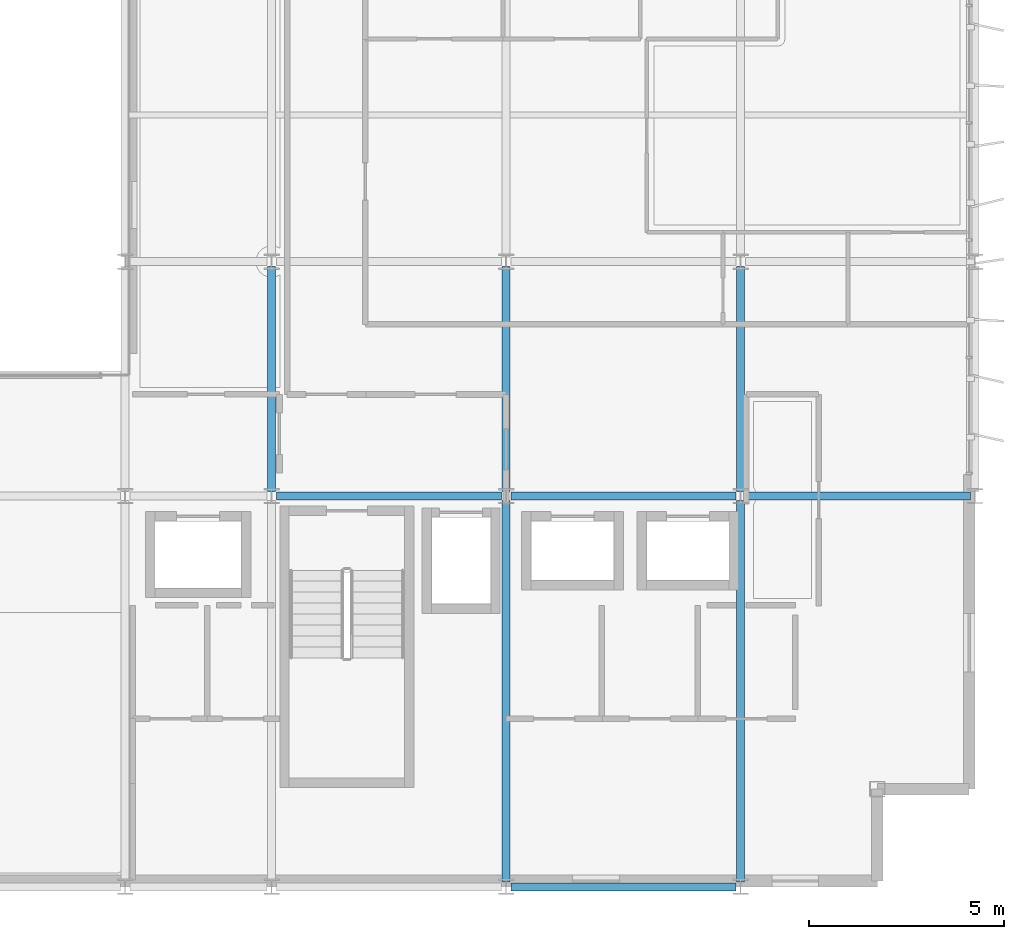
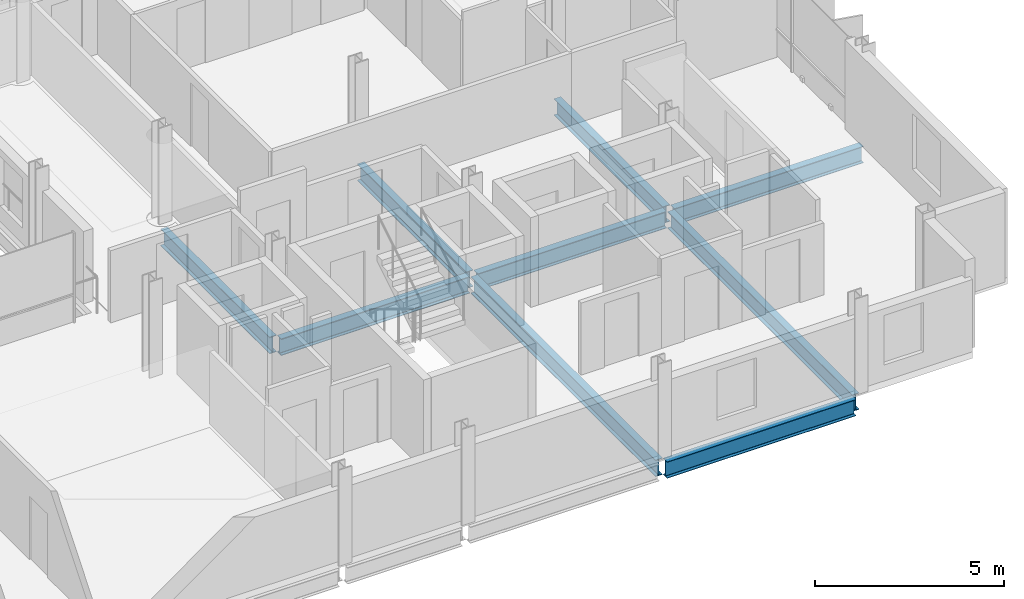
# One storey, part 16 of 38: 9 beams.
"""IFC4 building model written with IfcOpenShell, lengths in metres."""

import ifcopenshell
import ifcopenshell.guid

model = None  # the IFC model being written
_history = None  # IfcOwnerHistory: only IFC2X3 demands one
_inside = {}  # id of a spatial element -> (the spatial element, [elements in it])
_under = {}  # id of a project, library or spatial element -> (it, [spatial elements below it])
_declared = {}  # id of a project -> (the project, [libraries it declares])
_typed = {}  # id of a type object -> (the type object, [elements of that type])
_made_of = {}  # id of a material, layer set ... -> (it, [elements and type objects made of it])


def new_model(schema):
    """Start an empty IFC model of exactly this schema.

    Asked for "IFC4X3", IfcOpenShell would pick the latest addendum, in which some entities
    have other attributes; the version numbers below select the first issue.
    IFC2X3 requires an IfcOwnerHistory on every rooted entity: one is made here for all.
    """
    global model, _history
    if schema == "IFC4X3":
        model = ifcopenshell.file(schema_version=(4, 3, 0, 0))
    else:
        model = ifcopenshell.file(schema=schema)
    _inside.clear()
    _under.clear()
    _declared.clear()
    _typed.clear()
    _made_of.clear()
    _history = None
    if model.schema == "IFC2X3":
        org = make("IfcOrganization", Name="unknown")
        user = make(
            "IfcPersonAndOrganization",
            ThePerson=make("IfcPerson", FamilyName="unknown"),
            TheOrganization=org,
        )
        app = make(
            "IfcApplication",
            ApplicationDeveloper=org,
            Version="unknown",
            ApplicationFullName="unknown",
            ApplicationIdentifier="unknown",
        )
        _history = make(
            "IfcOwnerHistory",
            OwningUser=user,
            OwningApplication=app,
            ChangeAction="ADDED",
            CreationDate=0,
        )
    return model


def make(cls, **values):
    """One entity of the class cls with the attributes given. An attribute that is None is left unset."""
    return model.create_entity(
        cls, **{name: value for name, value in values.items() if value is not None}
    )


def rooted(cls, **values):
    """An entity with a GlobalId (a new one), such as an element, a storey or a relation."""
    return make(cls, GlobalId=ifcopenshell.guid.new(), OwnerHistory=_history, **values)


def si_unit(unit_type, name, prefix=None):
    """IfcSIUnit, for example si_unit("LENGTHUNIT", "METRE", prefix="MILLI")."""
    return make("IfcSIUnit", UnitType=unit_type, Prefix=prefix, Name=name)


def assignment(units):
    """IfcUnitAssignment: the units of a project."""
    return None if units is None else make("IfcUnitAssignment", Units=units)


def point(xyz):
    """IfcCartesianPoint."""
    return None if xyz is None else make("IfcCartesianPoint", Coordinates=xyz)


def direction(xyz):
    """IfcDirection."""
    return None if xyz is None else make("IfcDirection", DirectionRatios=xyz)


def frame(location, z_axis=None, x_axis=None):
    """IfcAxis2Placement3D, a coordinate frame: its origin and axes. An axis left out is left unset."""
    return make(
        "IfcAxis2Placement3D",
        Location=point(location),
        Axis=direction(z_axis),
        RefDirection=direction(x_axis),
    )


def frame_2d(location, x_axis=None):
    """IfcAxis2Placement2D, a coordinate frame in the plane: its origin and x axis."""
    return make(
        "IfcAxis2Placement2D", Location=point(location), RefDirection=direction(x_axis)
    )


def origin():
    """The frame at (0, 0, 0) with its axes left unset."""
    return frame((0.0, 0.0, 0.0))


def origin_2d():
    """The frame at (0, 0) in the plane with its x axis left unset."""
    return frame_2d((0.0, 0.0))


def place(relative_to, where):
    """IfcLocalPlacement: puts the frame where relative to a parent placement (None: the world)."""
    return make(
        "IfcLocalPlacement", PlacementRelTo=relative_to, RelativePlacement=where
    )


def context(
    kind, dimensions, precision=None, world=None, true_north=None, identifier=None
):
    """IfcGeometricRepresentationContext, for example the 3D "Model" context."""
    return make(
        "IfcGeometricRepresentationContext",
        ContextIdentifier=identifier,
        ContextType=kind,
        CoordinateSpaceDimension=dimensions,
        Precision=precision,
        WorldCoordinateSystem=world,
        TrueNorth=true_north,
    )


def subcontext(parent, identifier, kind, view, scale=None):
    """IfcGeometricRepresentationSubContext, for example "Body" below "Model"."""
    return make(
        "IfcGeometricRepresentationSubContext",
        ContextIdentifier=identifier,
        ContextType=kind,
        ParentContext=parent,
        TargetScale=scale,
        TargetView=view,
    )


def project(units=None, contexts=None):
    """IfcProject with its units and contexts."""
    return rooted(
        "IfcProject",
        Name="project",
        RepresentationContexts=contexts,
        UnitsInContext=assignment(units),
    )


def spatial(cls, under=None, at=None, **own):
    """A site, building, storey or space (cls), placed at a placement, below another one or the project."""
    s = rooted(cls, ObjectPlacement=at, **own)
    if under is not None:
        _under.setdefault(under.id(), (under, []))[1].append(s)
    return s


def profile(cls, at=None, kind="AREA", **sizes):
    """A parametric profile (cls). Its sizes go by their IFC names, for example OverallWidth=200.0."""
    return make(cls, ProfileType=kind, Position=at, **sizes)


def i_section(**sizes):
    """IfcIShapeProfileDef."""
    return profile("IfcIShapeProfileDef", **sizes)


def extrude(swept, where, along, depth):
    """IfcExtrudedAreaSolid: the profile swept, set in the frame where, extruded along a direction by depth."""
    return make(
        "IfcExtrudedAreaSolid",
        SweptArea=swept,
        Position=where,
        ExtrudedDirection=direction(along),
        Depth=depth,
    )


def shape(context_of_items, identifier, shape_type, items):
    """IfcShapeRepresentation: the items that make up one representation, for example the "Body"."""
    return make(
        "IfcShapeRepresentation",
        ContextOfItems=context_of_items,
        RepresentationIdentifier=identifier,
        RepresentationType=shape_type,
        Items=items,
    )


def material(Name=None, Category=None):
    """IfcMaterial."""
    return make("IfcMaterial", Name=Name, Category=Category)


def material_profile(
    of_material, cross_section, Name=None, Category=None, Priority=None
):
    """IfcMaterialProfile: a cross section and its material."""
    return make(
        "IfcMaterialProfile",
        Name=Name,
        Material=of_material,
        Profile=cross_section,
        Priority=Priority,
        Category=Category,
    )


def profile_set(profiles, Name=None, composite=None):
    """IfcMaterialProfileSet."""
    return make(
        "IfcMaterialProfileSet",
        Name=Name,
        MaterialProfiles=profiles,
        CompositeProfile=composite,
    )


def made_of(thing, what):
    """Note that an element or type object is made of a material, layer set ...; save() writes the relation."""
    if what is not None:
        _made_of.setdefault(what.id(), (what, []))[1].append(thing)
    return thing


def type_object(cls, material=None, **own):
    """A type object (cls), such as IfcWallType, which elements share."""
    return made_of(rooted(cls, **own), material)


def element(
    cls,
    number,
    at=None,
    inside=None,
    cuts=None,
    type_object=None,
    material=None,
    context=None,
    identifier="Body",
    shape_type=None,
    held_by="IfcProductDefinitionShape",
    body=None,
    shapes=None,
    **own,
):
    """One element of the class cls, such as IfcWall. Its Tag is "e" and its number.

    at: its placement. inside: the storey or other place that contains it. cuts: it is an
    opening in that element (IfcRelVoidsElement). A single representation is given by context,
    identifier, shape_type and body (its items); several are given by shapes. held_by: the class
    of the entity that holds the representations. save() writes the other relations.
    """
    e = rooted(cls, Tag="e%d" % number, ObjectPlacement=at, **own)
    if body is not None:
        shapes = [shape(context, identifier, shape_type, body)]
    if shapes is not None:
        e.Representation = make(held_by, Representations=shapes)
    if inside is not None:
        _inside.setdefault(inside.id(), (inside, []))[1].append(e)
    if cuts is not None:
        rooted(
            "IfcRelVoidsElement", RelatingBuildingElement=cuts, RelatedOpeningElement=e
        )
    if type_object is not None:
        _typed.setdefault(type_object.id(), (type_object, []))[1].append(e)
    return made_of(e, material)


def aggregate(whole, parts):
    """IfcRelAggregates: a whole, such as a stair, and the parts it consists of."""
    return rooted("IfcRelAggregates", RelatingObject=whole, RelatedObjects=parts)


def save(model, path):
    """Write the relations noted so far, then the file.

    IfcRelAggregates (storeys below a building ...), IfcRelContainedInSpatialStructure (elements
    in a storey), IfcRelDefinesByType, IfcRelAssociatesMaterial and IfcRelDeclares: one each for
    every whole, place, type object, material and project.
    """
    for whole, parts in _under.values():
        aggregate(whole, parts)
    for where, things in _inside.values():
        rooted(
            "IfcRelContainedInSpatialStructure",
            RelatedElements=things,
            RelatingStructure=where,
        )
    for kind, things in _typed.values():
        rooted("IfcRelDefinesByType", RelatedObjects=things, RelatingType=kind)
    for what, things in _made_of.values():
        rooted("IfcRelAssociatesMaterial", RelatedObjects=things, RelatingMaterial=what)
    for by, libraries in _declared.values():
        rooted("IfcRelDeclares", RelatingContext=by, RelatedDefinitions=libraries)
    model.write(path)


model = new_model("IFC4")

# Units and contexts
model_context = context("Model", 3, precision=1e-05, world=origin(), true_north=direction((0.0, 1.0)))
body_context = subcontext(model_context, "Body", "Model", "MODEL_VIEW")
ifc_project = project(units=[si_unit("LENGTHUNIT", "METRE"), si_unit("AREAUNIT", "SQUARE_METRE"), si_unit("VOLUMEUNIT", "CUBIC_METRE"), si_unit("PLANEANGLEUNIT", "RADIAN"), si_unit("MASSUNIT", "GRAM", prefix="KILO")], contexts=[model_context])

# Site, building, storey
site_placement = place(None, origin())
site = spatial("IfcSite", under=ifc_project, at=site_placement, CompositionType="ELEMENT")
building_placement = place(site_placement, origin())
building = spatial("IfcBuilding", under=site, at=building_placement, Name="Brevholm Reach", CompositionType="ELEMENT")
storey_placement = place(building_placement, frame((0.0, 0.0, 186.300048828125)))
storey = spatial("IfcBuildingStorey", under=building, at=storey_placement, Name="L56", CompositionType="ELEMENT", Elevation=186.300048828125)

# Beams
ifc_material_1 = material(Name="Structural Steel S355J2", Category="steel")
ifc_material_profile_1 = material_profile(ifc_material_1, i_section(OverallWidth=0.209228515625, OverallDepth=0.533203125, WebThickness=0.010009765625, FlangeThickness=0.015625, FilletRadius=0.0126953125, at=origin_2d()), Name="UKB 533x210x92")
ifc_profile_set_1 = profile_set([ifc_material_profile_1], Name="Structural Steel S355J2")
beam_type_1 = type_object("IfcBeamType", Name="BM-SP533", PredefinedType="SPANDREL", material=ifc_profile_set_1)
beam_1_placement = place(storey_placement, frame((48.1201171875, 0.0, -0.4765625), z_axis=(1.0, 0.0, 0.0), x_axis=(0.0, 1.0, 0.0)))
element("IfcBeam", 1, at=beam_1_placement, inside=storey, type_object=beam_type_1, Name="L56 SP-02 Framing Beam", PredefinedType="SPANDREL", context=body_context, shape_type="SweptSolid", body=[
    extrude(i_section(OverallWidth=0.209228515625, OverallDepth=0.533203125, WebThickness=0.010009765625, FlangeThickness=0.015625, FilletRadius=0.0126953125, at=origin_2d()), origin(), (0.0, 0.0, 1.0), 5.759765625),
])
ifc_material_2 = material(Name="Structural Steel S355J2", Category="steel")
ifc_material_profile_2 = material_profile(ifc_material_2, i_section(OverallWidth=0.210693359375, OverallDepth=0.53955078125, WebThickness=0.01171875, FlangeThickness=0.018798828125, FilletRadius=0.0126953125, at=origin_2d()), Name="UKB 533x210x109")
ifc_profile_set_2 = profile_set([ifc_material_profile_2], Name="Structural Steel S355J2")
beam_type_2 = type_object("IfcBeamType", Name="BM-SP539", PredefinedType="SPANDREL", material=ifc_profile_set_2)
for number, where, z_axis, x_axis, name in (
    (2, (42.1201171875, 10.0, -0.479736328125), (1.0, 0.0, 0.0), (0.0, 1.0, 0.0), "L56 SP-01B Framing Beam"),
    (3, (48.1201171875, 10.0, -0.479736328125), (1.0, 0.0, 0.0), (0.0, 1.0, 0.0), "L56 SP-01B Framing Beam"),
    (4, (54.1201171875, 10.0, -0.479736328125), (1.0, 0.0, 0.0), (0.0, 1.0, 0.0), "L56 SP-01B Framing Beam"),
    (5, (42.0, 10.1201171875, -0.479736328125), (0.0, 1.0, 0.0), (-1.0, 0.0, 0.0), "L56 SP-01B Framing Beam"),
):
    element("IfcBeam", number, at=place(storey_placement, frame(where, z_axis=z_axis, x_axis=x_axis)), inside=storey, type_object=beam_type_2, Name=name, PredefinedType="SPANDREL", context=body_context, shape_type="SweptSolid", body=[
        extrude(i_section(OverallWidth=0.210693359375, OverallDepth=0.53955078125, WebThickness=0.01171875, FlangeThickness=0.018798828125, FilletRadius=0.0126953125, at=origin_2d()), origin(), (0.0, 0.0, 1.0), 5.759765625),
    ])
beam_2_placement = place(storey_placement, frame((48.0, 0.1201171875, -0.479736328125), z_axis=(0.0, 1.0, 0.0), x_axis=(-1.0, 0.0, 0.0)))
element("IfcBeam", 6, at=beam_2_placement, inside=storey, type_object=beam_type_2, Name="L56 SP-01B Framing Beam", PredefinedType="SPANDREL", context=body_context, shape_type="SweptSolid", body=[
    extrude(i_section(OverallWidth=0.210693359375, OverallDepth=0.53955078125, WebThickness=0.01171875, FlangeThickness=0.018798828125, FilletRadius=0.0126953125, at=origin_2d()), origin(), (0.0, 0.0, 1.0), 9.759765625),
])
beam_3_placement = place(storey_placement, frame((48.0, 10.1201171875, -0.479736328125), z_axis=(0.0, 1.0, 0.0), x_axis=(-1.0, 0.0, 0.0)))
element("IfcBeam", 7, at=beam_3_placement, inside=storey, type_object=beam_type_2, Name="L56 SP-01B Framing Beam", PredefinedType="SPANDREL", context=body_context, shape_type="SweptSolid", body=[
    extrude(i_section(OverallWidth=0.210693359375, OverallDepth=0.53955078125, WebThickness=0.01171875, FlangeThickness=0.018798828125, FilletRadius=0.0126953125, at=origin_2d()), origin(), (0.0, 0.0, 1.0), 5.759765625),
])
beam_4_placement = place(storey_placement, frame((54.0, 0.1201171875, -0.479736328125), z_axis=(0.0, 1.0, 0.0), x_axis=(-1.0, 0.0, 0.0)))
element("IfcBeam", 8, at=beam_4_placement, inside=storey, type_object=beam_type_2, Name="L56 SP-01B Framing Beam", PredefinedType="SPANDREL", context=body_context, shape_type="SweptSolid", body=[
    extrude(i_section(OverallWidth=0.210693359375, OverallDepth=0.53955078125, WebThickness=0.01171875, FlangeThickness=0.018798828125, FilletRadius=0.0126953125, at=origin_2d()), origin(), (0.0, 0.0, 1.0), 9.759765625),
])
beam_5_placement = place(storey_placement, frame((54.0, 10.1201171875, -0.479736328125), z_axis=(0.0, 1.0, 0.0), x_axis=(-1.0, 0.0, 0.0)))
element("IfcBeam", 9, at=beam_5_placement, inside=storey, type_object=beam_type_2, Name="L56 SP-01B Framing Beam", PredefinedType="SPANDREL", context=body_context, shape_type="SweptSolid", body=[
    extrude(i_section(OverallWidth=0.210693359375, OverallDepth=0.53955078125, WebThickness=0.01171875, FlangeThickness=0.018798828125, FilletRadius=0.0126953125, at=origin_2d()), origin(), (0.0, 0.0, 1.0), 5.759765625),
])

save(model, "model.ifc")
